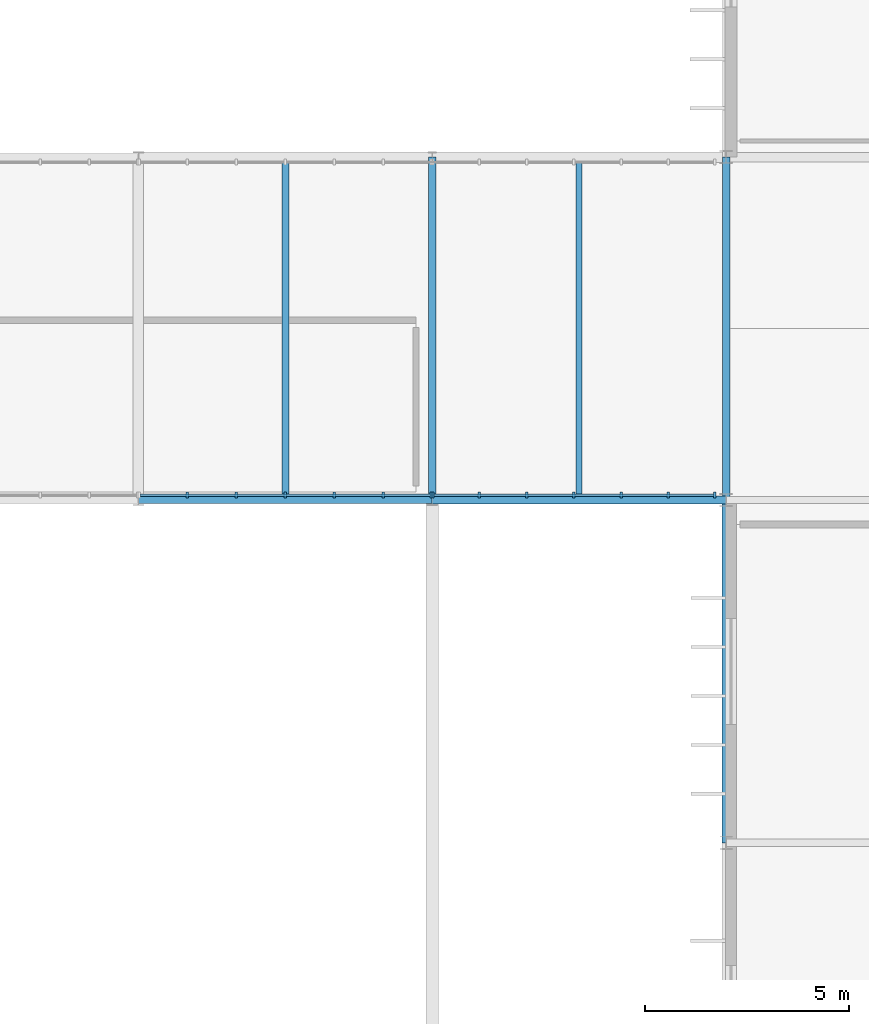
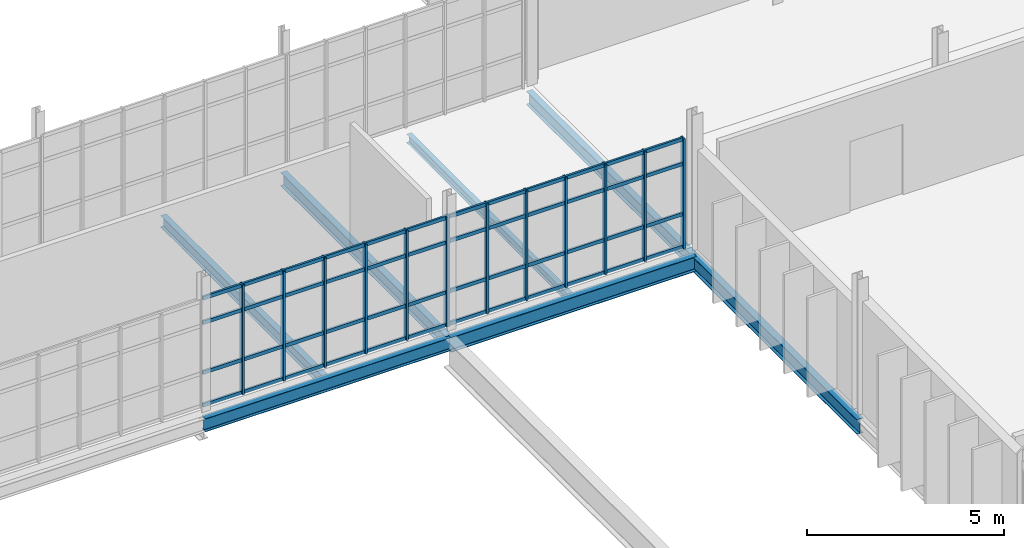
# One storey, part 33 of 99: 21 members, 7 beams, 2 elements without a shape of their own.
"""IFC4 building model written with IfcOpenShell, lengths in metres."""

from ifc_helpers import new_model, si_unit, direction, frame, origin, origin_2d, place, context, subcontext, project, spatial, rectangle, i_section, extrude, material, material_profile, profile_set, type_object, element, aggregate, save


model = new_model("IFC4")

# Units and contexts
model_context = context("Model", 3, precision=1e-05, world=origin(), true_north=direction((0.0, 1.0)))
body_context = subcontext(model_context, "Body", "Model", "MODEL_VIEW")
ifc_project = project(units=[si_unit("LENGTHUNIT", "METRE"), si_unit("AREAUNIT", "SQUARE_METRE"), si_unit("VOLUMEUNIT", "CUBIC_METRE"), si_unit("PLANEANGLEUNIT", "RADIAN"), si_unit("MASSUNIT", "GRAM", prefix="KILO")], contexts=[model_context])

# Site, building, storey
site_placement = place(None, origin())
site = spatial("IfcSite", under=ifc_project, at=site_placement, CompositionType="ELEMENT")
building_placement = place(site_placement, origin())
building = spatial("IfcBuilding", under=site, at=building_placement, Name="Qelthora Terrace Specialist Clinic", CompositionType="ELEMENT")
storey_placement = place(building_placement, frame((0.0, 0.0, 9.0)))
storey = spatial("IfcBuildingStorey", under=building, at=storey_placement, Name="L02", CompositionType="ELEMENT", Elevation=9.0)

# Beams
ifc_material_1 = material(Name="Steel S355", Category="steel")
ifc_material_profile_1 = material_profile(ifc_material_1, i_section(OverallWidth=0.178955078125, OverallDepth=0.409912109375, WebThickness=0.0087890625, FlangeThickness=0.014404296875, FilletRadius=0.011962890625, at=origin_2d()), Name="W410X67")
ifc_profile_set_1 = profile_set([ifc_material_profile_1], Name="Steel S355")
beam_type_1 = type_object("IfcBeamType", Name="BM-W410X67", PredefinedType="BEAM", material=ifc_profile_set_1)
beam_1_placement = place(storey_placement, frame((79.199951171875, 58.800048828125, -0.455078125), z_axis=(1.0, 0.0, 0.0), x_axis=(0.0, 1.0, 0.0)))
element("IfcBeam", 1, at=beam_1_placement, inside=storey, type_object=beam_type_1, Name="Girder BMX-L02-0642", PredefinedType="BEAM", context=body_context, shape_type="SweptSolid", body=[
    extrude(i_section(OverallWidth=0.178955078125, OverallDepth=0.409912109375, WebThickness=0.0087890625, FlangeThickness=0.014404296875, FilletRadius=0.011962890625, at=origin_2d()), origin(), (0.0, 0.0, 1.0), 7.199951171875),
])
ifc_material_profile_2 = material_profile(ifc_material_1, i_section(OverallWidth=0.179931640625, OverallDepth=0.4130859375, WebThickness=0.009765625, FlangeThickness=0.01611328125, FilletRadius=0.011962890625, at=origin_2d()), Name="W410X75")
ifc_profile_set_2 = profile_set([ifc_material_profile_2], Name="Steel S355")
beam_type_2 = type_object("IfcBeamType", Name="BM-W410X75", PredefinedType="BEAM", material=ifc_profile_set_2)
for number, where, z_axis, x_axis, name in (
    (2, (86.39990234375, 58.800048828125, -0.45654296875), (0.0, 1.0, 0.0), (-1.0, 0.0, 0.0), "Girder BMY-L02-0829"),
    (3, (93.60009765625, 58.800048828125, -0.45654296875), (0.0, 1.0, 0.0), (-1.0, 0.0, 0.0), "Girder BMY-L02-0839"),
):
    element("IfcBeam", number, at=place(storey_placement, frame(where, z_axis=z_axis, x_axis=x_axis)), inside=storey, type_object=beam_type_2, Name=name, PredefinedType="BEAM", context=body_context, shape_type="SweptSolid", body=[
        extrude(i_section(OverallWidth=0.179931640625, OverallDepth=0.4130859375, WebThickness=0.009765625, FlangeThickness=0.01611328125, FilletRadius=0.011962890625, at=origin_2d()), origin(), (0.0, 0.0, 1.0), 8.39990234375),
    ])
ifc_material_profile_3 = material_profile(ifc_material_1, i_section(OverallWidth=0.19091796875, OverallDepth=0.4599609375, WebThickness=0.010009765625, FlangeThickness=0.01611328125, FilletRadius=0.012939453125, at=origin_2d()), Name="W460X82")
ifc_profile_set_3 = profile_set([ifc_material_profile_3], Name="Steel S355")
beam_type_3 = type_object("IfcBeamType", Name="BM-W460X82", PredefinedType="BEAM", material=ifc_profile_set_3)
beam_2_placement = place(storey_placement, frame((86.39990234375, 58.800048828125, -0.47998046875), z_axis=(1.0, 0.0, 0.0), x_axis=(0.0, 1.0, 0.0)))
element("IfcBeam", 4, at=beam_2_placement, inside=storey, type_object=beam_type_3, Name="Girder BMX-L02-0643", PredefinedType="BEAM", context=body_context, shape_type="SweptSolid", body=[
    extrude(i_section(OverallWidth=0.19091796875, OverallDepth=0.4599609375, WebThickness=0.010009765625, FlangeThickness=0.01611328125, FilletRadius=0.012939453125, at=origin_2d()), origin(), (0.0, 0.0, 1.0), 7.2001953125),
])
beam_3_placement = place(storey_placement, frame((93.60009765625, 50.39990234375, -0.47998046875), z_axis=(0.0, 1.0, 0.0), x_axis=(-1.0, 0.0, 0.0)))
element("IfcBeam", 5, at=beam_3_placement, inside=storey, type_object=beam_type_3, Name="Girder BMY-L02-0838", PredefinedType="BEAM", context=body_context, shape_type="SweptSolid", body=[
    extrude(i_section(OverallWidth=0.19091796875, OverallDepth=0.4599609375, WebThickness=0.010009765625, FlangeThickness=0.01611328125, FilletRadius=0.012939453125, at=origin_2d()), origin(), (0.0, 0.0, 1.0), 8.400146484375),
])

# Curtain wall, members
ifc_material_2 = material(Name="Aluminium anodized bronze", Category="aluminium")
curtain_wall_type = type_object("IfcCurtainWallType", Name="CW-BRG-L02", PredefinedType="NOTDEFINED", material=ifc_material_2)
curtain_wall_1_placement = place(storey_placement, origin())
curtain_wall_1 = element("IfcCurtainWall", 6, at=curtain_wall_1_placement, inside=storey, type_object=curtain_wall_type, Name="Curtain wall CW-L02-266", PredefinedType="NOTDEFINED")
ifc_material_profile_4 = material_profile(ifc_material_2, rectangle(XDim=0.06005859375, YDim=0.14990234375, at=origin_2d()), Name="CWM60X150")
ifc_profile_set_4 = profile_set([ifc_material_profile_4], Name="Aluminium anodized bronze")
member_type_1 = type_object("IfcMemberType", Name="CWM-60X150", PredefinedType="MULLION", material=ifc_profile_set_4)
member_1_placement = place(storey_placement, frame((80.39990234375, 58.919921875, 0.0), z_axis=(0.0, 0.0, 1.0), x_axis=(1.0, 0.0, 0.0)))
member_1 = element("IfcMember", 7, at=member_1_placement, type_object=member_type_1, Name="CW-L02-266 mullion 2", PredefinedType="MULLION", context=body_context, shape_type="SweptSolid", body=[
    extrude(rectangle(XDim=0.06005859375, YDim=0.14990234375, at=origin_2d()), origin(), (0.0, 0.0, 1.0), 3.39794921875),
])
member_2_placement = place(storey_placement, frame((81.60009765625, 58.919921875, 0.0), z_axis=(0.0, 0.0, 1.0), x_axis=(1.0, 0.0, 0.0)))
member_2 = element("IfcMember", 8, at=member_2_placement, type_object=member_type_1, Name="CW-L02-266 mullion 3", PredefinedType="MULLION", context=body_context, shape_type="SweptSolid", body=[
    extrude(rectangle(XDim=0.06005859375, YDim=0.14990234375, at=origin_2d()), origin(), (0.0, 0.0, 1.0), 3.39794921875),
])
member_3_placement = place(storey_placement, frame((82.800048828125, 58.919921875, 0.0), z_axis=(0.0, 0.0, 1.0), x_axis=(1.0, 0.0, 0.0)))
member_3 = element("IfcMember", 9, at=member_3_placement, type_object=member_type_1, Name="CW-L02-266 mullion 4", PredefinedType="MULLION", context=body_context, shape_type="SweptSolid", body=[
    extrude(rectangle(XDim=0.06005859375, YDim=0.14990234375, at=origin_2d()), origin(), (0.0, 0.0, 1.0), 3.39794921875),
])
member_4_placement = place(storey_placement, frame((84.0, 58.919921875, 0.0), z_axis=(0.0, 0.0, 1.0), x_axis=(1.0, 0.0, 0.0)))
member_4 = element("IfcMember", 10, at=member_4_placement, type_object=member_type_1, Name="CW-L02-266 mullion 5", PredefinedType="MULLION", context=body_context, shape_type="SweptSolid", body=[
    extrude(rectangle(XDim=0.06005859375, YDim=0.14990234375, at=origin_2d()), origin(), (0.0, 0.0, 1.0), 3.39794921875),
])
member_5_placement = place(storey_placement, frame((85.199951171875, 58.919921875, 0.0), z_axis=(0.0, 0.0, 1.0), x_axis=(1.0, 0.0, 0.0)))
member_5 = element("IfcMember", 11, at=member_5_placement, type_object=member_type_1, Name="CW-L02-266 mullion 6", PredefinedType="MULLION", context=body_context, shape_type="SweptSolid", body=[
    extrude(rectangle(XDim=0.06005859375, YDim=0.14990234375, at=origin_2d()), origin(), (0.0, 0.0, 1.0), 3.39794921875),
])
member_6_placement = place(storey_placement, frame((86.3798828125, 58.919921875, 0.0), z_axis=(0.0, 0.0, 1.0), x_axis=(1.0, 0.0, 0.0)))
member_6 = element("IfcMember", 12, at=member_6_placement, type_object=member_type_1, Name="CW-L02-266 mullion 7", PredefinedType="MULLION", context=body_context, shape_type="SweptSolid", body=[
    extrude(rectangle(XDim=0.06005859375, YDim=0.14990234375, at=origin_2d()), origin(), (0.0, 0.0, 1.0), 3.39794921875),
])

curtain_wall_2_placement = place(storey_placement, origin())
curtain_wall_2 = element("IfcCurtainWall", 13, at=curtain_wall_2_placement, inside=storey, type_object=curtain_wall_type, Name="Curtain wall CW-L02-267", PredefinedType="NOTDEFINED")
member_7_placement = place(storey_placement, frame((86.419921875, 58.919921875, 0.0), z_axis=(0.0, 0.0, 1.0), x_axis=(1.0, 0.0, 0.0)))
member_7 = element("IfcMember", 14, at=member_7_placement, type_object=member_type_1, Name="CW-L02-267 mullion 1", PredefinedType="MULLION", context=body_context, shape_type="SweptSolid", body=[
    extrude(rectangle(XDim=0.06005859375, YDim=0.14990234375, at=origin_2d()), origin(), (0.0, 0.0, 1.0), 3.405029296875),
])
member_8_placement = place(storey_placement, frame((87.556640625, 58.919921875, 0.0), z_axis=(0.0, 0.0, 1.0), x_axis=(1.0, 0.0, 0.0)))
member_8 = element("IfcMember", 15, at=member_8_placement, type_object=member_type_1, Name="CW-L02-267 mullion 2", PredefinedType="MULLION", context=body_context, shape_type="SweptSolid", body=[
    extrude(rectangle(XDim=0.06005859375, YDim=0.14990234375, at=origin_2d()), origin(), (0.0, 0.0, 1.0), 3.405029296875),
])
member_9_placement = place(storey_placement, frame((88.71337890625, 58.919921875, 0.0), z_axis=(0.0, 0.0, 1.0), x_axis=(1.0, 0.0, 0.0)))
member_9 = element("IfcMember", 16, at=member_9_placement, type_object=member_type_1, Name="CW-L02-267 mullion 3", PredefinedType="MULLION", context=body_context, shape_type="SweptSolid", body=[
    extrude(rectangle(XDim=0.06005859375, YDim=0.14990234375, at=origin_2d()), origin(), (0.0, 0.0, 1.0), 3.405029296875),
])
member_10_placement = place(storey_placement, frame((89.8701171875, 58.919921875, 0.0), z_axis=(0.0, 0.0, 1.0), x_axis=(1.0, 0.0, 0.0)))
member_10 = element("IfcMember", 17, at=member_10_placement, type_object=member_type_1, Name="CW-L02-267 mullion 4", PredefinedType="MULLION", context=body_context, shape_type="SweptSolid", body=[
    extrude(rectangle(XDim=0.06005859375, YDim=0.14990234375, at=origin_2d()), origin(), (0.0, 0.0, 1.0), 3.405029296875),
])
member_11_placement = place(storey_placement, frame((91.026611328125, 58.919921875, 0.0), z_axis=(0.0, 0.0, 1.0), x_axis=(1.0, 0.0, 0.0)))
member_11 = element("IfcMember", 18, at=member_11_placement, type_object=member_type_1, Name="CW-L02-267 mullion 5", PredefinedType="MULLION", context=body_context, shape_type="SweptSolid", body=[
    extrude(rectangle(XDim=0.06005859375, YDim=0.14990234375, at=origin_2d()), origin(), (0.0, 0.0, 1.0), 3.405029296875),
])
member_12_placement = place(storey_placement, frame((92.183349609375, 58.919921875, 0.0), z_axis=(0.0, 0.0, 1.0), x_axis=(1.0, 0.0, 0.0)))
member_12 = element("IfcMember", 19, at=member_12_placement, type_object=member_type_1, Name="CW-L02-267 mullion 6", PredefinedType="MULLION", context=body_context, shape_type="SweptSolid", body=[
    extrude(rectangle(XDim=0.06005859375, YDim=0.14990234375, at=origin_2d()), origin(), (0.0, 0.0, 1.0), 3.405029296875),
])
member_13_placement = place(storey_placement, frame((93.320068359375, 58.919921875, 0.0), z_axis=(0.0, 0.0, 1.0), x_axis=(1.0, 0.0, 0.0)))
member_13 = element("IfcMember", 20, at=member_13_placement, type_object=member_type_1, Name="CW-L02-267 mullion 7", PredefinedType="MULLION", context=body_context, shape_type="SweptSolid", body=[
    extrude(rectangle(XDim=0.06005859375, YDim=0.14990234375, at=origin_2d()), origin(), (0.0, 0.0, 1.0), 3.405029296875),
])

# Member
ifc_material_profile_5 = material_profile(ifc_material_2, rectangle(XDim=0.06005859375, YDim=0.110107421875, at=origin_2d()), Name="CWT60X110")
ifc_profile_set_5 = profile_set([ifc_material_profile_5], Name="Aluminium anodized bronze")
member_type_2 = type_object("IfcMemberType", Name="CWT-60X110", PredefinedType="USERDEFINED", material=ifc_profile_set_5)
member_14_placement = place(storey_placement, frame((79.239990234375, 58.919921875, 0.0400390625), z_axis=(1.0, 0.0, 0.0), x_axis=(0.0, 1.0, 0.0)))
member_14 = element("IfcMember", 21, at=member_14_placement, type_object=member_type_2, Name="CW-L02-266 transom 1", ObjectType="TRANSOM", PredefinedType="USERDEFINED", context=body_context, shape_type="SweptSolid", body=[
    extrude(rectangle(XDim=0.06005859375, YDim=0.110107421875, at=origin_2d()), origin(), (0.0, 0.0, 1.0), 7.1201171875),
])

member_15_placement = place(storey_placement, frame((79.239990234375, 58.919921875, 1.050048828125), z_axis=(1.0, 0.0, 0.0), x_axis=(0.0, 1.0, 0.0)))
member_15 = element("IfcMember", 22, at=member_15_placement, type_object=member_type_2, Name="CW-L02-266 transom 2", ObjectType="TRANSOM", PredefinedType="USERDEFINED", context=body_context, shape_type="SweptSolid", body=[
    extrude(rectangle(XDim=0.06005859375, YDim=0.110107421875, at=origin_2d()), origin(), (0.0, 0.0, 1.0), 7.1201171875),
])

member_16_placement = place(storey_placement, frame((79.239990234375, 58.919921875, 2.597900390625), z_axis=(1.0, 0.0, 0.0), x_axis=(0.0, 1.0, 0.0)))
member_16 = element("IfcMember", 23, at=member_16_placement, type_object=member_type_2, Name="CW-L02-266 transom 3", ObjectType="TRANSOM", PredefinedType="USERDEFINED", context=body_context, shape_type="SweptSolid", body=[
    extrude(rectangle(XDim=0.06005859375, YDim=0.110107421875, at=origin_2d()), origin(), (0.0, 0.0, 1.0), 7.1201171875),
])

member_17_placement = place(storey_placement, frame((79.239990234375, 58.919921875, 3.35791015625), z_axis=(1.0, 0.0, 0.0), x_axis=(0.0, 1.0, 0.0)))
member_17 = element("IfcMember", 24, at=member_17_placement, type_object=member_type_2, Name="CW-L02-266 transom 4", ObjectType="TRANSOM", PredefinedType="USERDEFINED", context=body_context, shape_type="SweptSolid", body=[
    extrude(rectangle(XDim=0.06005859375, YDim=0.110107421875, at=origin_2d()), origin(), (0.0, 0.0, 1.0), 7.1201171875),
])

aggregate(curtain_wall_1, [member_1, member_2, member_3, member_4, member_5, member_6, member_14, member_15, member_16, member_17])

member_18_placement = place(storey_placement, frame((86.43994140625, 58.919921875, 0.0400390625), z_axis=(1.0, 0.0, 0.0), x_axis=(0.0, 1.0, 0.0)))
member_18 = element("IfcMember", 25, at=member_18_placement, type_object=member_type_2, Name="CW-L02-267 transom 1", ObjectType="TRANSOM", PredefinedType="USERDEFINED", context=body_context, shape_type="SweptSolid", body=[
    extrude(rectangle(XDim=0.06005859375, YDim=0.110107421875, at=origin_2d()), origin(), (0.0, 0.0, 1.0), 6.860107421875),
])

member_19_placement = place(storey_placement, frame((86.43994140625, 58.919921875, 1.050048828125), z_axis=(1.0, 0.0, 0.0), x_axis=(0.0, 1.0, 0.0)))
member_19 = element("IfcMember", 26, at=member_19_placement, type_object=member_type_2, Name="CW-L02-267 transom 2", ObjectType="TRANSOM", PredefinedType="USERDEFINED", context=body_context, shape_type="SweptSolid", body=[
    extrude(rectangle(XDim=0.06005859375, YDim=0.110107421875, at=origin_2d()), origin(), (0.0, 0.0, 1.0), 6.860107421875),
])

member_20_placement = place(storey_placement, frame((86.43994140625, 58.919921875, 2.60498046875), z_axis=(1.0, 0.0, 0.0), x_axis=(0.0, 1.0, 0.0)))
member_20 = element("IfcMember", 27, at=member_20_placement, type_object=member_type_2, Name="CW-L02-267 transom 3", ObjectType="TRANSOM", PredefinedType="USERDEFINED", context=body_context, shape_type="SweptSolid", body=[
    extrude(rectangle(XDim=0.06005859375, YDim=0.110107421875, at=origin_2d()), origin(), (0.0, 0.0, 1.0), 6.860107421875),
])

member_21_placement = place(storey_placement, frame((86.43994140625, 58.919921875, 3.364990234375), z_axis=(1.0, 0.0, 0.0), x_axis=(0.0, 1.0, 0.0)))
member_21 = element("IfcMember", 28, at=member_21_placement, type_object=member_type_2, Name="CW-L02-267 transom 4", ObjectType="TRANSOM", PredefinedType="USERDEFINED", context=body_context, shape_type="SweptSolid", body=[
    extrude(rectangle(XDim=0.06005859375, YDim=0.110107421875, at=origin_2d()), origin(), (0.0, 0.0, 1.0), 6.860107421875),
])

aggregate(curtain_wall_2, [member_7, member_8, member_9, member_10, member_11, member_12, member_13, member_18, member_19, member_20, member_21])

# Beams
ifc_material_profile_6 = material_profile(ifc_material_1, i_section(OverallWidth=0.14697265625, OverallDepth=0.261962890625, WebThickness=0.006591796875, FlangeThickness=0.01123046875, FilletRadius=0.009033203125, at=origin_2d()), Name="W250X39")
ifc_profile_set_6 = profile_set([ifc_material_profile_6], Name="Steel S355")
beam_type_4 = type_object("IfcBeamType", Name="JST-W250X39", PredefinedType="JOIST", material=ifc_profile_set_6)
beam_4_placement = place(storey_placement, frame((90.0, 58.8955078125, -0.381103515625), z_axis=(0.0, 1.0, 0.0), x_axis=(-1.0, 0.0, 0.0)))
element("IfcBeam", 29, at=beam_4_placement, inside=storey, type_object=beam_type_4, Name="Composite floor joist JST-L02-0179", PredefinedType="JOIST", context=body_context, shape_type="SweptSolid", body=[
    extrude(i_section(OverallWidth=0.14697265625, OverallDepth=0.261962890625, WebThickness=0.006591796875, FlangeThickness=0.01123046875, FilletRadius=0.009033203125, at=origin_2d()), origin(), (0.0, 0.0, 1.0), 8.177490234375),
])
ifc_material_profile_7 = material_profile(ifc_material_1, i_section(OverallWidth=0.172119140625, OverallDepth=0.35791015625, WebThickness=0.0078125, FlangeThickness=0.01318359375, FilletRadius=0.010986328125, at=origin_2d()), Name="W360X57")
ifc_profile_set_7 = profile_set([ifc_material_profile_7], Name="Steel S355")
beam_type_5 = type_object("IfcBeamType", Name="JST-W360X57", PredefinedType="JOIST", material=ifc_profile_set_7)
beam_5_placement = place(storey_placement, frame((82.800048828125, 58.889404296875, -0.428955078125), z_axis=(0.0, 1.0, 0.0), x_axis=(-1.0, 0.0, 0.0)))
element("IfcBeam", 30, at=beam_5_placement, inside=storey, type_object=beam_type_5, Name="Composite floor joist JST-L02-0176", PredefinedType="JOIST", context=body_context, shape_type="SweptSolid", body=[
    extrude(i_section(OverallWidth=0.172119140625, OverallDepth=0.35791015625, WebThickness=0.0078125, FlangeThickness=0.01318359375, FilletRadius=0.010986328125, at=origin_2d()), origin(), (0.0, 0.0, 1.0), 8.1826171875),
])

save(model, "model.ifc")
